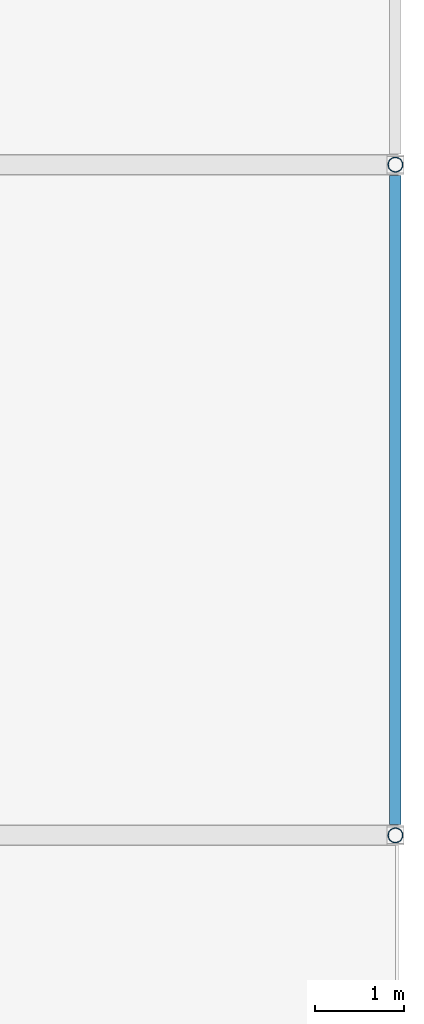
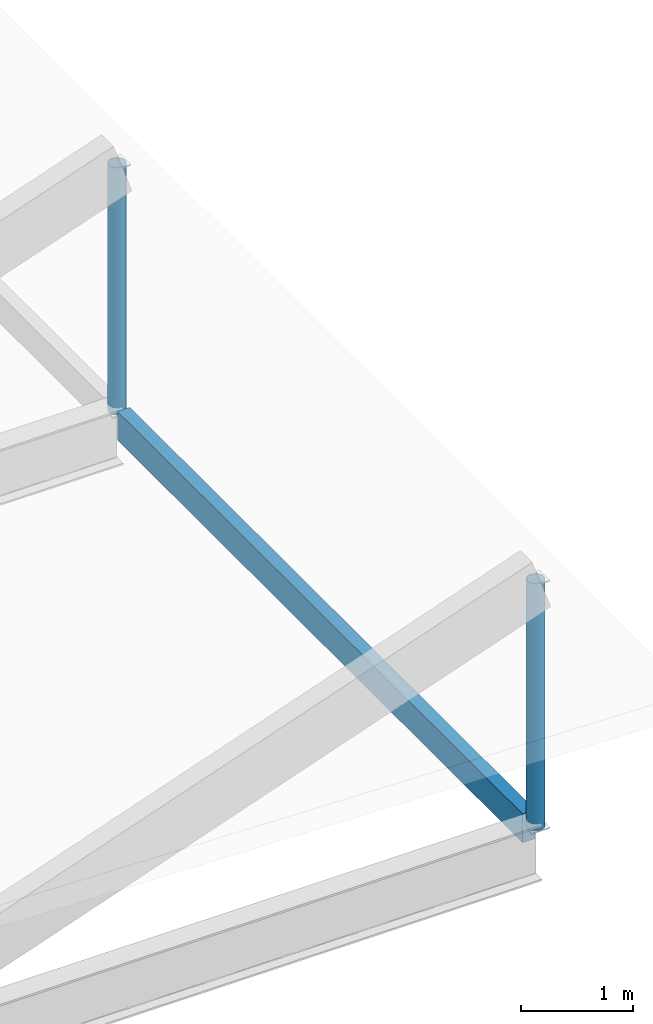
# One storey, part 13 of 19: 2 members, 1 beam.
"""IFC4 building model written with IfcOpenShell, lengths in metres."""

from ifc_helpers import new_model, si_unit, direction, frame, origin, origin_2d, place, context, subcontext, project, spatial, rectangle, hollow_circle, extrude, material, material_profile, profile_set, type_object, element, save


model = new_model("IFC4")

# Units and contexts
model_context = context("Model", 3, precision=1e-05, world=origin(), true_north=direction((0.0, 1.0)))
body_context = subcontext(model_context, "Body", "Model", "MODEL_VIEW")
ifc_project = project(units=[si_unit("LENGTHUNIT", "METRE"), si_unit("AREAUNIT", "SQUARE_METRE"), si_unit("VOLUMEUNIT", "CUBIC_METRE"), si_unit("PLANEANGLEUNIT", "RADIAN"), si_unit("MASSUNIT", "GRAM", prefix="KILO")], contexts=[model_context])

# Site, building, storey
site_placement = place(None, origin())
site = spatial("IfcSite", under=ifc_project, at=site_placement, CompositionType="ELEMENT")
building_placement = place(site_placement, origin())
building = spatial("IfcBuilding", under=site, at=building_placement, Name="Marnridge Secondary College", CompositionType="ELEMENT")
storey_placement = place(building_placement, frame((0.0, 0.0, 23.699951171875)))
storey = spatial("IfcBuildingStorey", under=building, at=storey_placement, Name="Roof Level", CompositionType="ELEMENT", Elevation=23.699951171875)

# Beam
ifc_material_1 = material(Name="Glulam timber GL18", Category="wood")
ifc_material_profile_1 = material_profile(ifc_material_1, rectangle(XDim=0.1298828125, YDim=0.31494140625, at=origin_2d()), Name="GL18 130x315")
ifc_profile_set_1 = profile_set([ifc_material_profile_1], Name="Glulam timber GL18")
beam_type = type_object("IfcBeamType", Name="BM-GL315-EXT", PredefinedType="BEAM", material=ifc_profile_set_1)
beam_placement = place(storey_placement, frame((97.800048828125, 52.6201171875, 1.142578125), z_axis=(0.0, 1.0, 0.0), x_axis=(-1.0, 0.0, 0.0)))
element("IfcBeam", 1, at=beam_placement, inside=storey, type_object=beam_type, Name="Beam BCAN-Roo-1503", PredefinedType="BEAM", context=body_context, shape_type="SweptSolid", body=[
    extrude(rectangle(XDim=0.1298828125, YDim=0.31494140625, at=origin_2d()), origin(), (0.0, 0.0, 1.0), 7.259765625),
])

# Members
ifc_material_2 = material(Name="Cold-formed steel Grade C350L0 (AS/NZS 1163, fy = 350 MPa)", Category="steel")
ifc_material_profile_2 = material_profile(ifc_material_2, hollow_circle(Radius=0.084228515625, WallThickness=0.00634765625, at=origin_2d()), Name="168.3x6.4CHS")
ifc_profile_set_2 = profile_set([ifc_material_profile_2], Name="Cold-formed steel Grade C350L0 (AS/NZS 1163, fy = 350 MPa)")
member_type = type_object("IfcMemberType", Name="MB-BR-CHS168E", PredefinedType="BRACE", material=ifc_profile_set_2)
for number, where, z_axis, x_axis, name in (
    (2, (97.800048828125, 52.5, 1.219970703125), (0.0, 0.0, 1.0), (1.0, 0.0, 0.0), "Canopy eave web strut MCAN-012"),
    (3, (97.800048828125, 60.0, 1.219970703125), (0.0, 0.0, 1.0), (1.0, 0.0, 0.0), "Canopy eave web strut MCAN-014"),
):
    element("IfcMember", number, at=place(storey_placement, frame(where, z_axis=z_axis, x_axis=x_axis)), inside=storey, type_object=member_type, Name=name, PredefinedType="BRACE", context=body_context, shape_type="SweptSolid", body=[
        extrude(hollow_circle(Radius=0.084228515625, WallThickness=0.00634765625, at=origin_2d()), origin(), (0.0, 0.0, 1.0), 2.705078125),
    ])

save(model, "model.ifc")
